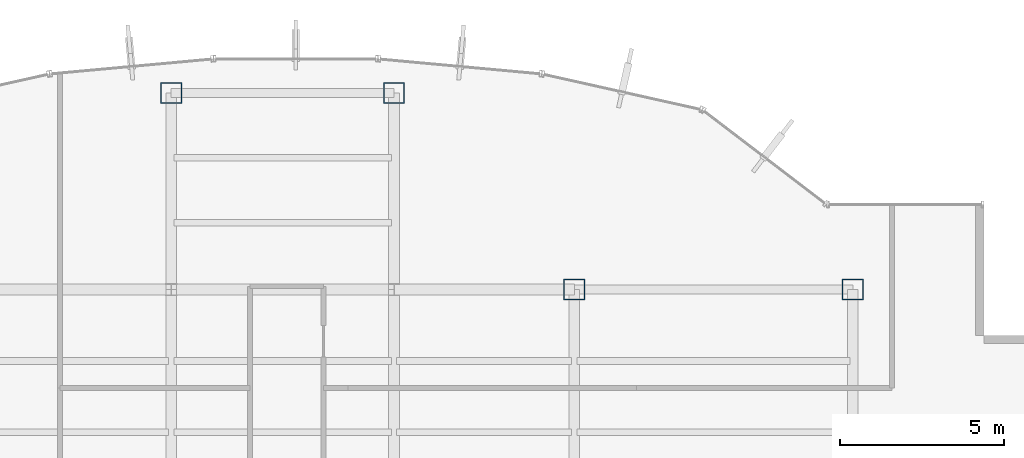
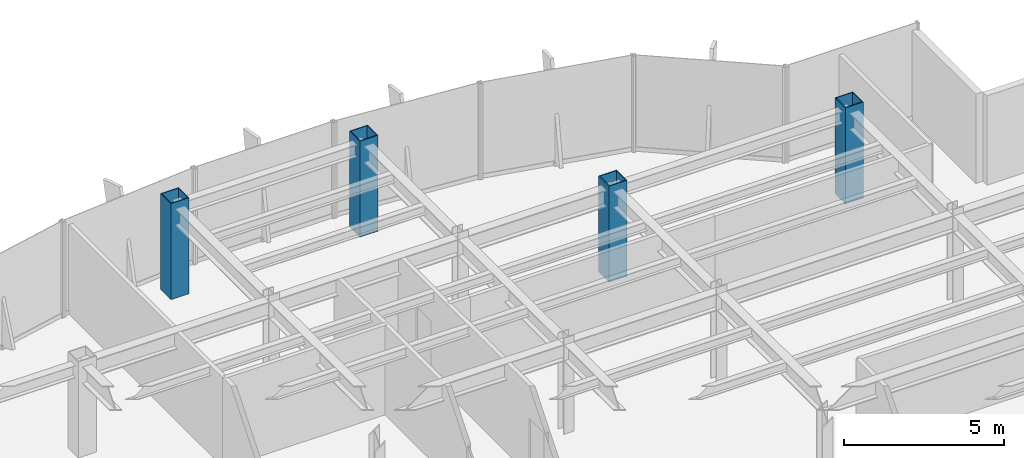
# One storey, part 2 of 25: 4 columns.
"""IFC4 building model written with IfcOpenShell, lengths in metres."""

from ifc_helpers import new_model, si_unit, derived_unit, direction, frame, origin, origin_2d, place, context, subcontext, project, spatial, hollow_rectangle, extrude, source, transform, mapped, material, material_profile, profile_set, type_object, element, save


model = new_model("IFC4")

# Units and contexts
model_context = context("Model", 3, precision=1e-05, world=origin(), true_north=direction((0.0, 1.0)))
body_context = subcontext(model_context, "Body", "Model", "MODEL_VIEW")
ifc_project = project(units=[si_unit("LENGTHUNIT", "METRE"), si_unit("AREAUNIT", "SQUARE_METRE"), si_unit("VOLUMEUNIT", "CUBIC_METRE"), si_unit("PLANEANGLEUNIT", "RADIAN"), si_unit("MASSUNIT", "GRAM", prefix="KILO"), derived_unit("THERMALTRANSMITTANCEUNIT", [(si_unit("POWERUNIT", "WATT"), 1), (si_unit("LENGTHUNIT", "METRE"), -2), (si_unit("THERMODYNAMICTEMPERATUREUNIT", "KELVIN"), -1)])], contexts=[model_context])

# Site, building, storey
site_placement = place(None, origin())
site = spatial("IfcSite", under=ifc_project, at=site_placement, CompositionType="ELEMENT")
building_placement = place(site_placement, origin())
building = spatial("IfcBuilding", under=site, at=building_placement, Name="Skarnbrae Concourse Arena and Tower", CompositionType="ELEMENT")
storey_placement = place(building_placement, frame((0.0, 0.0, 177.10009765625)))
storey = spatial("IfcBuildingStorey", under=building, at=storey_placement, Name="L45", CompositionType="ELEMENT", Elevation=177.10009765625)

# Columns
ifc_material = material(Name="Steel CSA G40.21 350W", Category="steel")
ifc_material_profile = material_profile(ifc_material, hollow_rectangle(XDim=0.64990234375, YDim=0.64990234375, WallThickness=0.031982421875, at=origin_2d()), Name="BOX650X650X32")
ifc_profile_set = profile_set([ifc_material_profile], Name="Steel CSA G40.21 350W")
column_type = type_object("IfcColumnType", Name="COL-TUBE-BOX650", PredefinedType="COLUMN", material=ifc_profile_set)
shared_shape = source(origin(), body_context, "Body", "SweptSolid", [
    extrude(hollow_rectangle(XDim=0.64990234375, YDim=0.64990234375, WallThickness=0.031982421875, at=origin_2d()), origin(), (0.0, 0.0, 1.0), 3.64990234375),
])
for number, where, z_axis, x_axis, name in (
    (1, (21.199951171875, 40.39990234375, 0.0), (0.0, 0.0, 1.0), (1.0, 0.0, 0.0), "L45 Tower column PC_04_06"),
    (2, (28.0, 40.39990234375, 0.0), (0.0, 0.0, 1.0), (1.0, 0.0, 0.0), "L45 Tower column PC_05_06"),
    (3, (33.5, 34.39990234375, 0.0), (0.0, 0.0, 1.0), (1.0, 0.0, 0.0), "L45 Tower column PC_06_05"),
    (4, (42.0, 34.39990234375, 0.0), (0.0, 0.0, 1.0), (1.0, 0.0, 0.0), "L45 Tower column PC_07_05"),
):
    element("IfcColumn", number, at=place(storey_placement, frame(where, z_axis=z_axis, x_axis=x_axis)), inside=storey, type_object=column_type, Name=name, PredefinedType="COLUMN", context=body_context, shape_type="MappedRepresentation", body=[
        mapped(shared_shape, transform((0.0, 0.0, 0.0))),
    ])

save(model, "model.ifc")
